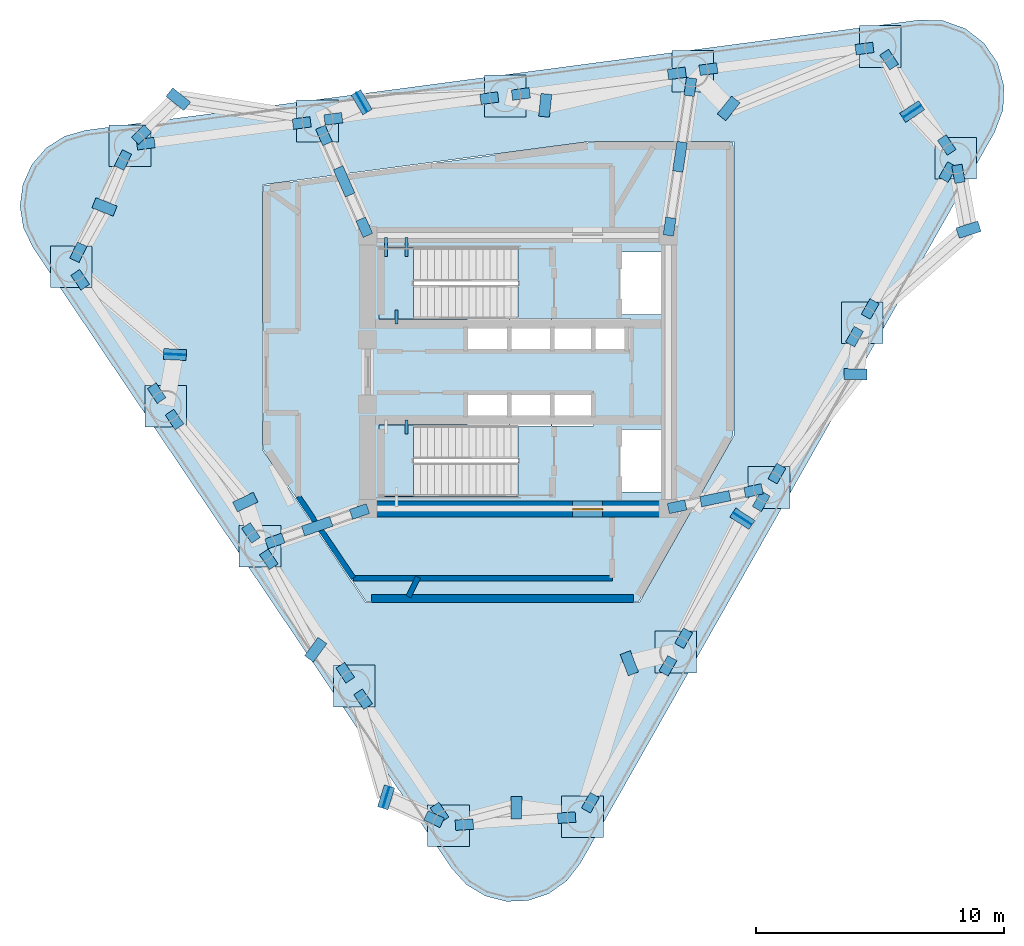
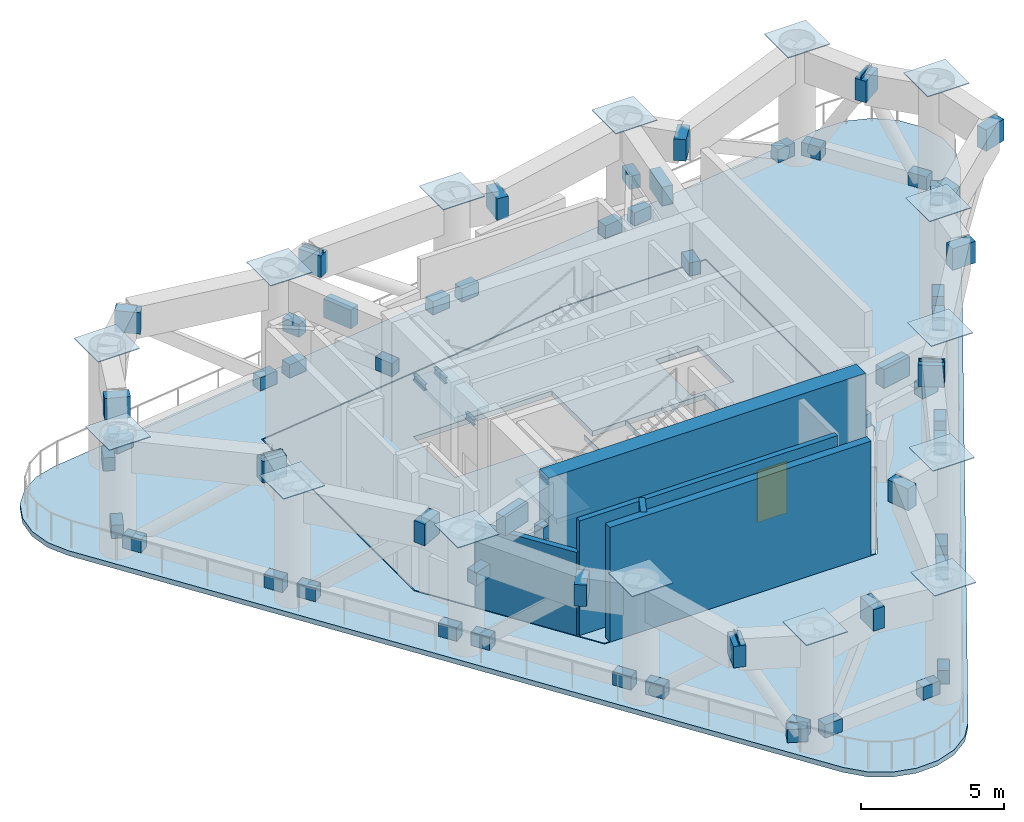
# One storey, part 3 of 10: 80 plates, 5 walls, 4 beams, 4 slabs, 1 door, 1 opening, 2 elements without a shape of their own.
"""IFC4 building model written with IfcOpenShell, lengths in metres."""

from ifc_helpers import new_model, si_unit, direction, frame, frame_2d, origin, origin_2d, place, context, subcontext, project, spatial, polyline, rectangle, i_section, outline, extrude, source, transform, mapped, material, layer, layer_set, material_profile, profile_set, type_object, element, fill, aggregate, save


model = new_model("IFC4")

# Units and contexts
model_context = context("Model", 3, precision=1e-05, world=origin(), true_north=direction((0.0, 1.0)))
body_context = subcontext(model_context, "Body", "Model", "MODEL_VIEW")
ifc_project = project(units=[si_unit("LENGTHUNIT", "METRE"), si_unit("AREAUNIT", "SQUARE_METRE"), si_unit("VOLUMEUNIT", "CUBIC_METRE"), si_unit("PLANEANGLEUNIT", "RADIAN"), si_unit("MASSUNIT", "GRAM", prefix="KILO")], contexts=[model_context])

# Site, building, storey
site_placement = place(None, origin())
site = spatial("IfcSite", under=ifc_project, at=site_placement, CompositionType="ELEMENT")
building_placement = place(site_placement, origin())
building = spatial("IfcBuilding", under=site, at=building_placement, Name="Yunling Apex Tower", CompositionType="ELEMENT")
storey_placement = place(building_placement, frame((0.0, 0.0, 186.35009765625)))
storey = spatial("IfcBuildingStorey", under=building, at=storey_placement, Name="RF5", CompositionType="ELEMENT", Elevation=186.35009765625)

# Beams
ifc_material_1 = material(Name="Steel Q355B", Category="steel")
ifc_material_profile = material_profile(ifc_material_1, i_section(OverallWidth=0.125, OverallDepth=0.25, WebThickness=0.006103515625, FlangeThickness=0.009033203125, FilletRadius=0.011962890625, at=origin_2d()))
ifc_profile_set = profile_set([ifc_material_profile], Name="Steel Q355B")
beam_type = type_object("IfcBeamType", Name="BL-LNT-1", PredefinedType="LINTEL", material=ifc_profile_set)
shared_shape_1 = source(origin(), body_context, "Body", "SweptSolid", [
    extrude(i_section(OverallWidth=0.125, OverallDepth=0.25, WebThickness=0.006103515625, FlangeThickness=0.009033203125, FilletRadius=0.011962890625, at=origin_2d()), origin(), (0.0, 0.0, 1.0), 0.760009765625),
])
for number, where, z_axis, x_axis, name in (
    (1, (-5.320068359375, 5.419921875, 2.22998046875), (0.0, -1.0, 0.0), (1.0, 0.0, 0.0), "RF5 ST-1 Landing Bearing Corbel 1-1"),
    (2, (-4.489990234375, 5.419921875, 2.22998046875), (0.0, -1.0, 0.0), (1.0, 0.0, 0.0), "RF5 ST-1 Landing Bearing Corbel 1-2"),
):
    element("IfcBeam", number, at=place(storey_placement, frame(where, z_axis=z_axis, x_axis=x_axis)), inside=storey, type_object=beam_type, Name=name, PredefinedType="LINTEL", context=body_context, shape_type="MappedRepresentation", body=[
        mapped(shared_shape_1, transform((0.0, 0.0, 0.0), scale=1.0)),
    ])
shared_shape_2 = source(origin(), body_context, "Body", "SweptSolid", [
    extrude(i_section(OverallWidth=0.125, OverallDepth=0.25, WebThickness=0.006103515625, FlangeThickness=0.009033203125, FilletRadius=0.011962890625, at=origin_2d()), origin(), (0.0, 0.0, 1.0), 0.550048828125),
])
for number, where, z_axis, x_axis, name in (
    (3, (-4.905029296875, 1.93994140625, 2.22998046875), (0.0, 1.0, 0.0), (-1.0, 0.0, 0.0), "RF5 ST-1 Landing Bearing Corbel 1-3"),
    (4, (-4.489990234375, -1.93994140625, 2.22998046875), (0.0, -1.0, 0.0), (1.0, 0.0, 0.0), "RF5 ST-2 Landing Bearing Corbel 1-2"),
):
    element("IfcBeam", number, at=place(storey_placement, frame(where, z_axis=z_axis, x_axis=x_axis)), inside=storey, type_object=beam_type, Name=name, PredefinedType="LINTEL", context=body_context, shape_type="MappedRepresentation", body=[
        mapped(shared_shape_2, transform((0.0, 0.0, 0.0), scale=1.0)),
    ])

# Stair, slab
ifc_material_2 = material(Name="Concrete C40", Category="concrete")
stair_type = type_object("IfcStairType", Name="ST-TWR-1", PredefinedType="HALF_TURN_STAIR", material=ifc_material_2)
stair_1_placement = place(storey_placement, origin())
stair_1 = element("IfcStair", 5, at=stair_1_placement, inside=storey, type_object=stair_type, Name="RF5 North Core Smokeproof Exit Stair ST-1", PredefinedType="HALF_TURN_STAIR")
ifc_layer_1 = layer(ifc_material_2, 0.195068359375)
ifc_layer_set_1 = layer_set([ifc_layer_1], Name="Concrete C40")
slab_type_1 = type_object("IfcSlabType", Name="SL-LND-1", PredefinedType="LANDING", material=ifc_layer_set_1)
slab_1_placement = place(storey_placement, frame((0.0, 0.0, 2.35498046875)))
slab_1 = element("IfcSlab", 6, at=slab_1_placement, type_object=slab_type_1, Name="ST-1 landing 1", PredefinedType="LANDING", context=body_context, shape_type="SweptSolid", body=[
    extrude(outline(polyline([(-4.2099609375, 5.010009765625), (-5.60009765625, 5.010009765625), (-5.60009765625, 2.139892578125), (-4.2099609375, 2.139892578125), (-4.2099609375, 5.010009765625)])), origin(), (0.0, 0.0, 1.0), 0.19482421875),
])
aggregate(stair_1, [slab_1])

stair_2_placement = place(storey_placement, origin())
stair_2 = element("IfcStair", 7, at=stair_2_placement, inside=storey, type_object=stair_type, Name="RF5 South Core Smokeproof Exit Stair ST-2", PredefinedType="HALF_TURN_STAIR")
slab_2_placement = place(storey_placement, frame((0.0, 0.0, 2.35498046875)))
slab_2 = element("IfcSlab", 8, at=slab_2_placement, type_object=slab_type_1, Name="ST-2 landing 1", PredefinedType="LANDING", context=body_context, shape_type="SweptSolid", body=[
    extrude(outline(polyline([(-4.2099609375, -2.139892578125), (-5.60009765625, -2.139892578125), (-5.60009765625, -5.010009765625), (-4.2099609375, -5.010009765625), (-4.2099609375, -2.139892578125)])), origin(), (0.0, 0.0, 1.0), 0.19482421875),
])
aggregate(stair_2, [slab_2])

# Slabs
ifc_layer_2 = layer(ifc_material_2, 0.219970703125)
ifc_layer_set_2 = layer_set([ifc_layer_2], Name="Concrete C40")
slab_type_2 = type_object("IfcSlabType", Name="SL-RFG-1", PredefinedType="FLOOR", material=ifc_layer_set_2)
slab_3_placement = place(storey_placement, frame((0.0, 0.0, -0.22021484375)))
element("IfcSlab", 9, at=slab_3_placement, inside=storey, type_object=slab_type_2, Name="RF5 Mechanical & Belt-Truss Interior Slab", PredefinedType="FLOOR", context=body_context, shape_type="SweptSolid", body=[
    extrude(outline(polyline([(2.922119140625, 9.25), (-10.25, 7.506591796875), (-10.25, -3.124267578125), (-6.1181640625, -9.25), (4.857421875, -9.25), (8.64990234375, -2.5576171875), (8.64990234375, 9.25), (2.922119140625, 9.25)]), holes=[polyline([(5.81005859375, -2.320068359375), (5.81005859375, -4.840087890625), (4.090087890625, -4.840087890625), (4.090087890625, -2.320068359375), (5.81005859375, -2.320068359375)]), polyline([(5.81005859375, 4.840087890625), (5.81005859375, 2.320068359375), (4.090087890625, 2.320068359375), (4.090087890625, 4.840087890625), (5.81005859375, 4.840087890625)]), polyline([(4.534912109375, 0.794921875), (1.364990234375, 0.794921875), (1.364990234375, 2.1650390625), (4.534912109375, 2.1650390625), (4.534912109375, 0.794921875)]), polyline([(3.034912109375, -0.794921875), (3.034912109375, -2.1650390625), (1.364990234375, -2.1650390625), (1.364990234375, -0.794921875), (3.034912109375, -0.794921875)]), polyline([(-2.034912109375, -0.794921875), (-0.364990234375, -0.794921875), (-0.364990234375, -2.139892578125), (-0.3349609375, -2.139892578125), (-0.3349609375, -0.794921875), (1.3349609375, -0.794921875), (1.3349609375, -2.1650390625), (-0.010009765625, -2.1650390625), (-0.010009765625, -5.010009765625), (-5.60009765625, -5.010009765625), (-5.60009765625, -2.139892578125), (-2.034912109375, -2.139892578125), (-2.034912109375, -0.794921875)]), polyline([(-5.60009765625, 2.139892578125), (-5.60009765625, 5.010009765625), (-0.010009765625, 5.010009765625), (-0.010009765625, 2.1650390625), (1.3349609375, 2.1650390625), (1.3349609375, 0.794921875), (-0.3349609375, 0.794921875), (-0.3349609375, 2.139892578125), (-0.364990234375, 2.139892578125), (-0.364990234375, 0.794921875), (-2.034912109375, 0.794921875), (-2.034912109375, 2.139892578125), (-5.60009765625, 2.139892578125)])]), origin(), (0.0, 0.0, 1.0), 0.22021484375),
])
ifc_layer_3 = layer(ifc_material_2, 0.2099609375)
ifc_layer_set_3 = layer_set([ifc_layer_3], Name="Concrete C40")
slab_type_3 = type_object("IfcSlabType", Name="SL-RFG-EXT", PredefinedType="FLOOR", material=ifc_layer_set_3)
slab_4_placement = place(storey_placement, frame((0.0, 0.0, -0.210205078125)))
element("IfcSlab", 10, at=slab_4_placement, inside=storey, type_object=slab_type_3, Name="RF5 Open Refuge Perimeter Terrace Band", PredefinedType="FLOOR", context=body_context, shape_type="SweptSolid", body=[
    extrude(outline(polyline([(-2.665771484375, -20.00146484375), (-2.073486328125, -20.65185546875), (-1.31982421875, -21.10546875), (-0.468017578125, -21.32421875), (0.410888671875, -21.2900390625), (1.243408203125, -21.005615234375), (1.95947265625, -20.494873046875), (2.499267578125, -19.80029296875), (19.197998046875, 9.66650390625), (19.533203125, 10.565185546875), (19.572021484375, 11.5234375), (19.31005859375, 12.4462890625), (18.773681640625, 13.241455078125), (18.01611328125, 13.830078125), (17.113037109375, 14.1533203125), (16.154296875, 14.178955078125), (-17.422119140625, 9.734619140625), (-18.268310546875, 9.494384765625), (-19.01025390625, 9.021728515625), (-19.585693359375, 8.3564453125), (-19.947021484375, 7.554443359375), (-20.06298828125, 6.682373046875), (-19.9248046875, 5.813720703125), (-19.543701171875, 5.02099609375), (-2.665771484375, -20.00146484375)]), holes=[polyline([(8.68994140625, -2.568115234375), (4.880859375, -9.2900390625), (-6.139404296875, -9.2900390625), (-10.2900390625, -3.136474609375), (-10.2900390625, 7.54150390625), (2.91943359375, 9.2900390625), (8.68994140625, 9.2900390625), (8.68994140625, -2.568115234375)])]), origin(), (0.0, 0.0, 1.0), 0.210205078125),
])

# Plates
ifc_layer_4 = layer(ifc_material_1, 0.030029296875)
ifc_layer_set_4 = layer_set([ifc_layer_4], Name="Steel Q355B")
plate_type_1 = type_object("IfcPlateType", Name="NP-CAP-1", PredefinedType="USERDEFINED", material=ifc_layer_set_4)
shared_shape_3 = source(origin(), body_context, "Body", "SweptSolid", [
    extrude(rectangle(XDim=1.679931640625, YDim=1.679931640625, at=origin_2d()), origin(), (0.0, 0.0, 1.0), 0.035888671875),
])
for number, where, z_axis, x_axis, name in (
    (11, (2.5947265625, -17.907958984375, 4.9970703125), (0.0, 0.0, 1.0), (1.0, 0.0, 0.0), "RF5 Lower-Block CFST Column Top Cap Plate P01"),
    (12, (6.351806640625, -11.27783203125, 4.9970703125), (0.0, 0.0, 1.0), (1.0, 0.0, 0.0), "RF5 Lower-Block CFST Column Top Cap Plate P02"),
    (13, (10.109130859375, -4.64794921875, 4.9970703125), (0.0, 0.0, 1.0), (1.0, 0.0, 0.0), "RF5 Lower-Block CFST Column Top Cap Plate P03"),
    (14, (13.8662109375, 1.982177734375, 4.9970703125), (0.0, 0.0, 1.0), (1.0, 0.0, 0.0), "RF5 Lower-Block CFST Column Top Cap Plate P04"),
    (15, (17.62353515625, 8.612060546875, 4.9970703125), (0.0, 0.0, 1.0), (1.0, 0.0, 0.0), "RF5 Lower-Block CFST Column Top Cap Plate P05"),
    (16, (14.5869140625, 13.114013671875, 4.9970703125), (0.0, 0.0, 1.0), (1.0, 0.0, 0.0), "RF5 Lower-Block CFST Column Top Cap Plate P06"),
    (17, (7.0322265625, 12.114013671875, 4.9970703125), (0.0, 0.0, 1.0), (1.0, 0.0, 0.0), "RF5 Lower-Block CFST Column Top Cap Plate P07"),
    (18, (-0.5224609375, 11.114013671875, 4.9970703125), (0.0, 0.0, 1.0), (1.0, 0.0, 0.0), "RF5 Lower-Block CFST Column Top Cap Plate P08"),
    (19, (-8.0771484375, 10.1142578125, 4.9970703125), (0.0, 0.0, 1.0), (1.0, 0.0, 0.0), "RF5 Lower-Block CFST Column Top Cap Plate P09"),
    (20, (-15.6318359375, 9.1142578125, 4.9970703125), (0.0, 0.0, 1.0), (1.0, 0.0, 0.0), "RF5 Lower-Block CFST Column Top Cap Plate P10"),
    (21, (-17.9951171875, 4.2451171875, 4.9970703125), (0.0, 0.0, 1.0), (1.0, 0.0, 0.0), "RF5 Lower-Block CFST Column Top Cap Plate P11"),
    (22, (-14.197509765625, -1.384765625, 4.9970703125), (0.0, 0.0, 1.0), (1.0, 0.0, 0.0), "RF5 Lower-Block CFST Column Top Cap Plate P12"),
    (23, (-10.39990234375, -7.014892578125, 4.9970703125), (0.0, 0.0, 1.0), (1.0, 0.0, 0.0), "RF5 Lower-Block CFST Column Top Cap Plate P13"),
    (24, (-6.6025390625, -12.64501953125, 4.9970703125), (0.0, 0.0, 1.0), (1.0, 0.0, 0.0), "RF5 Lower-Block CFST Column Top Cap Plate P14"),
    (25, (-2.804931640625, -18.27490234375, 4.9970703125), (0.0, 0.0, 1.0), (1.0, 0.0, 0.0), "RF5 Lower-Block CFST Column Top Cap Plate P15"),
):
    element("IfcPlate", number, at=place(storey_placement, frame(where, z_axis=z_axis, x_axis=x_axis)), inside=storey, type_object=plate_type_1, Name=name, ObjectType="CAP_PLATE", PredefinedType="USERDEFINED", context=body_context, shape_type="MappedRepresentation", body=[
        mapped(shared_shape_3, transform((0.0, 0.0, 0.0), scale=1.0)),
    ])
ifc_layer_5 = layer(ifc_material_1, 0.035888671875)
ifc_layer_set_5 = layer_set([ifc_layer_5], Name="Steel Q355B")
plate_type_2 = type_object("IfcPlateType", Name="NP-GUS-1", PredefinedType="USERDEFINED", material=ifc_layer_set_5)
shared_shape_4 = source(origin(), body_context, "Body", "SweptSolid", [
    extrude(rectangle(XDim=0.719970703125, YDim=0.419921875, at=origin_2d()), origin(), (0.0, 0.0, 1.0), 0.56005859375),
])
for number, where, z_axis, x_axis, name in (
    (26, (2.9111328125, -17.349365234375, 0.269775390625), (0.0, 0.0, 1.0), (0.493031062956, 0.87001170737, 0.0), "RF5 Belt Chord End Gusset Plate 180"),
    (27, (6.035400390625, -11.83642578125, 0.269775390625), (0.0, 0.0, 1.0), (0.493031062956, 0.87001170737, 0.0), "RF5 Belt Chord End Gusset Plate 181"),
    (28, (6.66845703125, -10.719482421875, 0.269775390625), (0.0, 0.0, 1.0), (0.493031062956, 0.87001170737, 0.0), "RF5 Belt Chord End Gusset Plate 182"),
    (29, (9.79248046875, -5.206298828125, 0.269775390625), (0.0, 0.0, 1.0), (0.493031062956, 0.87001170737, 0.0), "RF5 Belt Chord End Gusset Plate 183"),
    (30, (10.425537109375, -4.08935546875, 0.269775390625), (0.0, 0.0, 1.0), (0.493031062956, 0.87001170737, 0.0), "RF5 Belt Chord End Gusset Plate 184"),
    (31, (13.5498046875, 1.423583984375, 0.269775390625), (0.0, 0.0, 1.0), (0.493031062956, 0.87001170737, 0.0), "RF5 Belt Chord End Gusset Plate 185"),
    (32, (14.182861328125, 2.54052734375, 0.269775390625), (0.0, 0.0, 1.0), (0.493031062956, 0.87001170737, 0.0), "RF5 Belt Chord End Gusset Plate 186"),
    (33, (17.306884765625, 8.0537109375, 0.269775390625), (0.0, 0.0, 1.0), (0.493031062956, 0.87001170737, 0.0), "RF5 Belt Chord End Gusset Plate 187"),
    (34, (17.264404296875, 9.144287109375, 0.269775390625), (0.0, 0.0, 1.0), (-0.559192903471, 0.829037572555, 0.0), "RF5 Belt Chord End Gusset Plate 188"),
    (35, (14.94580078125, 12.581787109375, 0.269775390625), (0.0, 0.0, 1.0), (-0.559192903471, 0.829037572555, 0.0), "RF5 Belt Chord End Gusset Plate 189"),
    (36, (13.950439453125, 13.02978515625, 0.269775390625), (0.0, 0.0, 1.0), (-0.9913534953, -0.131218319443, 0.0), "RF5 Belt Chord End Gusset Plate 190"),
    (37, (7.668701171875, 12.1982421875, 0.269775390625), (0.0, 0.0, 1.0), (-0.9913534953, -0.131218319443, 0.0), "RF5 Belt Chord End Gusset Plate 191"),
    (38, (6.395751953125, 12.02978515625, 0.269775390625), (0.0, 0.0, 1.0), (-0.9913534953, -0.131218319443, 0.0), "RF5 Belt Chord End Gusset Plate 192"),
    (39, (0.114013671875, 11.1982421875, 0.269775390625), (0.0, 0.0, 1.0), (-0.9913534953, -0.131218319443, 0.0), "RF5 Belt Chord End Gusset Plate 193"),
    (40, (-1.158935546875, 11.02978515625, 0.269775390625), (0.0, 0.0, 1.0), (-0.9913534953, -0.131218319443, 0.0), "RF5 Belt Chord End Gusset Plate 194"),
    (41, (-7.44091796875, 10.198486328125, 0.269775390625), (0.0, 0.0, 1.0), (-0.9913534953, -0.131218319443, 0.0), "RF5 Belt Chord End Gusset Plate 195"),
    (42, (-8.713623046875, 10.030029296875, 0.269775390625), (0.0, 0.0, 1.0), (-0.9913534953, -0.131218319443, 0.0), "RF5 Belt Chord End Gusset Plate 196"),
    (43, (-14.995361328125, 9.198486328125, 0.269775390625), (0.0, 0.0, 1.0), (-0.9913534953, -0.131218319443, 0.0), "RF5 Belt Chord End Gusset Plate 197"),
    (44, (-15.912109375, 8.53662109375, 0.269775390625), (0.0, 0.0, 1.0), (-0.436644779265, -0.899634001548, 0.0), "RF5 Belt Chord End Gusset Plate 198"),
    (45, (-17.714599609375, 4.82275390625, 0.269775390625), (0.0, 0.0, 1.0), (-0.436644779265, -0.899634001548, 0.0), "RF5 Belt Chord End Gusset Plate 199"),
    (46, (-17.635986328125, 3.712890625, 0.269775390625), (0.0, 0.0, 1.0), (0.559192903471, -0.829037572555, 0.0), "RF5 Belt Chord End Gusset Plate 200"),
    (47, (-14.556396484375, -0.8525390625, 0.269775390625), (0.0, 0.0, 1.0), (0.559192903471, -0.829037572555, 0.0), "RF5 Belt Chord End Gusset Plate 201"),
    (48, (-13.83837890625, -1.9169921875, 0.269775390625), (0.0, 0.0, 1.0), (0.559192903471, -0.829037572555, 0.0), "RF5 Belt Chord End Gusset Plate 202"),
    (49, (-10.759033203125, -6.482666015625, 0.269775390625), (0.0, 0.0, 1.0), (0.559192903471, -0.829037572555, 0.0), "RF5 Belt Chord End Gusset Plate 203"),
    (50, (-10.041015625, -7.547119140625, 0.269775390625), (0.0, 0.0, 1.0), (0.559192903471, -0.829037572555, 0.0), "RF5 Belt Chord End Gusset Plate 204"),
    (51, (-6.96142578125, -12.11279296875, 0.269775390625), (0.0, 0.0, 1.0), (0.559192903471, -0.829037572555, 0.0), "RF5 Belt Chord End Gusset Plate 205"),
    (52, (-6.243408203125, -13.177001953125, 0.269775390625), (0.0, 0.0, 1.0), (0.559192903471, -0.829037572555, 0.0), "RF5 Belt Chord End Gusset Plate 206"),
    (53, (-3.1640625, -17.742919921875, 0.269775390625), (0.0, 0.0, 1.0), (0.559192903471, -0.829037572555, 0.0), "RF5 Belt Chord End Gusset Plate 207"),
    (54, (-2.16455078125, -18.2314453125, 0.269775390625), (0.0, 0.0, 1.0), (0.997696134548, 0.067841160875, 0.0), "RF5 Belt Chord End Gusset Plate 208"),
    (55, (1.9541015625, -17.951416015625, 0.269775390625), (0.0, 0.0, 1.0), (0.997696134548, 0.067841160875, 0.0), "RF5 Belt Chord End Gusset Plate 209"),
    (56, (17.7373046875, 7.982421875, 0.269775390625), (0.0, 0.0, 1.0), (0.177771795263, -0.984071739666, 0.0), "RF5 Belt Diagonal Foot Gusset Plate 210"),
    (57, (-15.171142578125, 9.55859375, 0.269775390625), (0.0, 0.0, 1.0), (0.71982458803, 0.694156007298, 0.0), "RF5 Belt Diagonal Foot Gusset Plate 211"),
    (58, (-3.38720703125, -18.009521484375, 0.269775390625), (0.0, 0.0, 1.0), (-0.909888879393, 0.414852054542, 0.0), "RF5 Belt Diagonal Foot Gusset Plate 212"),
):
    element("IfcPlate", number, at=place(storey_placement, frame(where, z_axis=z_axis, x_axis=x_axis)), inside=storey, type_object=plate_type_2, Name=name, ObjectType="GUSSET_PLATE", PredefinedType="USERDEFINED", context=body_context, shape_type="MappedRepresentation", body=[
        mapped(shared_shape_4, transform((0.0, 0.0, 0.0), scale=1.0)),
    ])
shared_shape_5 = source(origin(), body_context, "Body", "SweptSolid", [
    extrude(rectangle(XDim=0.919921875, YDim=0.43994140625, at=origin_2d()), origin(), (0.0, 0.0, 1.0), 0.919921875),
])
for number, where, z_axis, x_axis, name in (
    (59, (-0.073486328125, -17.55322265625, 3.784912109375), (0.0, 0.0, 1.0), (-0.004188777955, -0.999991227031, 0.0), "RF5 Belt-Truss Node Gusset Plate 1"),
    (60, (4.480712890625, -11.732177734375, 3.784912109375), (0.0, 0.0, 1.0), (0.35673799932, -0.934204474321, 0.0), "RF5 Belt-Truss Node Gusset Plate 2"),
    (61, (9.03515625, -5.911376953125, 3.784912109375), (0.0, 0.0, 1.0), (0.836764313459, -0.547563223493, 0.0), "RF5 Belt-Truss Node Gusset Plate 3"),
    (62, (13.589599609375, -0.09033203125, 3.784912109375), (0.0, 0.0, 1.0), (0.999978006703, -0.006632202536, 0.0), "RF5 Belt-Truss Node Gusset Plate 4"),
    (63, (18.143798828125, 5.730712890625, 3.784912109375), (0.0, 0.0, 1.0), (0.953559370834, 0.301205123289, 0.0), "RF5 Belt-Truss Node Gusset Plate 5"),
    (64, (15.871826171875, 10.493896484375, 3.784912109375), (0.0, 0.0, 1.0), (0.834174701276, 0.551500288078, 0.0), "RF5 Belt-Truss Node Gusset Plate 6"),
    (65, (8.48193359375, 10.617919921875, 3.784912109375), (0.0, 0.0, 1.0), (0.624152360803, 0.781302649748, 0.0), "RF5 Belt-Truss Node Gusset Plate 7"),
    (66, (1.092041015625, 10.74169921875, 3.784912109375), (0.0, 0.0, 1.0), (0.101229935083, 0.994863056025, 0.0), "RF5 Belt-Truss Node Gusset Plate 8"),
    (67, (-6.2978515625, 10.865478515625, 3.784912109375), (0.0, 0.0, 1.0), (-0.501510737159, 0.86515142057, 0.0), "RF5 Belt-Truss Node Gusset Plate 9"),
    (68, (-13.687744140625, 10.989501953125, 3.784912109375), (0.0, 0.0, 1.0), (-0.779775226961, 0.62605957817, 0.0), "RF5 Belt-Truss Node Gusset Plate 10"),
    (69, (-16.657958984375, 6.649169921875, 3.784912109375), (0.0, 0.0, 1.0), (-0.928744864252, 0.370719539713, 0.0), "RF5 Belt-Truss Node Gusset Plate 11"),
    (70, (-13.822509765625, 0.704345703125, 3.784912109375), (0.0, 0.0, 1.0), (-0.998701636071, 0.050941555809, 0.0), "RF5 Belt-Truss Node Gusset Plate 12"),
    (71, (-10.98681640625, -5.240478515625, 3.784912109375), (0.0, 0.0, 1.0), (-0.90258528435, -0.430511096808, 0.0), "RF5 Belt-Truss Node Gusset Plate 13"),
    (72, (-8.1513671875, -11.185302734375, 3.784912109375), (0.0, 0.0, 1.0), (-0.588914279787, -0.808195502996, 0.0), "RF5 Belt-Truss Node Gusset Plate 14"),
    (73, (-5.31591796875, -17.130126953125, 3.784912109375), (0.0, 0.0, 1.0), (-0.296374888035, -0.95507168618, 0.0), "RF5 Belt-Truss Node Gusset Plate 15"),
):
    element("IfcPlate", number, at=place(storey_placement, frame(where, z_axis=z_axis, x_axis=x_axis)), inside=storey, type_object=plate_type_2, Name=name, ObjectType="GUSSET_PLATE", PredefinedType="USERDEFINED", context=body_context, shape_type="MappedRepresentation", body=[
        mapped(shared_shape_5, transform((0.0, 0.0, 0.0), scale=1.0)),
    ])
shared_shape_6 = source(origin(), body_context, "Body", "SweptSolid", [
    extrude(rectangle(XDim=0.85009765625, YDim=0.030029296875, at=origin_2d()), origin(), (0.0, 0.0, 1.0), 0.85009765625),
])
for number, where, z_axis, x_axis, name in (
    (74, (9.03515625, -5.911376953125, 3.969970703125), (0.0, 0.0, 1.0), (0.836764313459, -0.547563223493, 0.0), "RF5 Box Ring Girder End Cap Plate 3"),
    (75, (15.871826171875, 10.493896484375, 3.969970703125), (0.0, 0.0, 1.0), (0.834174701276, 0.551500288078, 0.0), "RF5 Box Ring Girder End Cap Plate 6"),
    (76, (-6.2978515625, 10.865478515625, 3.969970703125), (0.0, 0.0, 1.0), (-0.501510737159, 0.86515142057, 0.0), "RF5 Box Ring Girder End Cap Plate 9"),
    (77, (-13.822509765625, 0.704345703125, 3.969970703125), (0.0, 0.0, 1.0), (-0.998701636071, 0.050941555809, 0.0), "RF5 Box Ring Girder End Cap Plate 12"),
    (78, (-5.31591796875, -17.130126953125, 3.969970703125), (0.0, 0.0, 1.0), (-0.296374888035, -0.95507168618, 0.0), "RF5 Box Ring Girder End Cap Plate 15"),
):
    element("IfcPlate", number, at=place(storey_placement, frame(where, z_axis=z_axis, x_axis=x_axis)), inside=storey, type_object=plate_type_1, Name=name, ObjectType="CAP_PLATE", PredefinedType="USERDEFINED", context=body_context, shape_type="MappedRepresentation", body=[
        mapped(shared_shape_6, transform((0.0, 0.0, 0.0), scale=1.0)),
    ])
ifc_layer_6 = layer(ifc_material_1, 0.031982421875)
ifc_layer_set_6 = layer_set([ifc_layer_6], Name="Steel Q355B")
plate_type_3 = type_object("IfcPlateType", Name="NP-GUS-2", PredefinedType="USERDEFINED", material=ifc_layer_set_6)
shared_shape_7 = source(origin(), body_context, "Body", "SweptSolid", [
    extrude(rectangle(XDim=1.199951171875, YDim=0.419921875, at=origin_2d()), origin(), (0.0, 0.0, 1.0), 0.800048828125),
])
for number, where, z_axis, x_axis, name in (
    (79, (-8.0927734375, -6.21142578125, 3.8447265625), (0.0, 0.0, 1.0), (-0.944376370237, -0.328866646739, 0.0), "RF5 Outrigger Mid-Top Gusset Plate 1"),
    (80, (7.9423828125, -5.102783203125, 3.8447265625), (0.0, 0.0, 1.0), (0.978652704312, 0.205521007059, 0.0), "RF5 Outrigger Mid-Top Gusset Plate 2"),
    (81, (6.5205078125, 8.66845703125, 3.8447265625), (0.0, 0.0, 1.0), (0.146946275799, 0.989144474801, 0.0), "RF5 Outrigger Mid-Top Gusset Plate 3"),
    (82, (-7.00732421875, 7.678955078125, 3.8447265625), (0.0, 0.0, 1.0), (-0.402267378703, 0.915522231315, 0.0), "RF5 Outrigger Mid-Top Gusset Plate 4"),
):
    element("IfcPlate", number, at=place(storey_placement, frame(where, z_axis=z_axis, x_axis=x_axis)), inside=storey, type_object=plate_type_3, Name=name, ObjectType="GUSSET_PLATE", PredefinedType="USERDEFINED", context=body_context, shape_type="MappedRepresentation", body=[
        mapped(shared_shape_7, transform((0.0, 0.0, 0.0), scale=1.0)),
    ])
shared_shape_8 = source(origin(), body_context, "Body", "SweptSolid", [
    extrude(rectangle(XDim=0.719970703125, YDim=0.419921875, at=origin_2d()), origin(), (0.0, 0.0, 1.0), 0.56005859375),
])
for number, where, z_axis, x_axis, name in (
    (83, (-6.389892578125, -5.618408203125, 2.539794921875), (0.0, 0.0, 1.0), (-0.944376370237, -0.328866646739, 0.0), "RF5 Outrigger Core Embed Gusset Plate 213"),
    (84, (-9.795654296875, -6.804443359375, 2.539794921875), (0.0, 0.0, 1.0), (-0.944376370237, -0.328866646739, 0.0), "RF5 Outrigger Column Gusset Plate 214"),
    (85, (6.40234375, -5.426025390625, 2.539794921875), (0.0, 0.0, 1.0), (0.978652704312, 0.205521007059, 0.0), "RF5 Outrigger Core Embed Gusset Plate 215"),
    (86, (9.48291015625, -4.779296875, 2.539794921875), (0.0, 0.0, 1.0), (0.978652704312, 0.205521007059, 0.0), "RF5 Outrigger Column Gusset Plate 216"),
    (87, (6.102783203125, 5.856201171875, 2.539794921875), (0.0, 0.0, 1.0), (0.146946275799, 0.989144474801, 0.0), "RF5 Outrigger Core Embed Gusset Plate 217"),
    (88, (6.938232421875, 11.48095703125, 2.539794921875), (0.0, 0.0, 1.0), (0.146946275799, 0.989144474801, 0.0), "RF5 Outrigger Column Gusset Plate 218"),
    (89, (-6.19482421875, 5.82958984375, 2.539794921875), (0.0, 0.0, 1.0), (-0.402267378703, 0.915522231315, 0.0), "RF5 Outrigger Core Embed Gusset Plate 219"),
    (90, (-7.81982421875, 9.5283203125, 2.539794921875), (0.0, 0.0, 1.0), (-0.402267378703, 0.915522231315, 0.0), "RF5 Outrigger Column Gusset Plate 220"),
):
    element("IfcPlate", number, at=place(storey_placement, frame(where, z_axis=z_axis, x_axis=x_axis)), inside=storey, type_object=plate_type_3, Name=name, ObjectType="GUSSET_PLATE", PredefinedType="USERDEFINED", context=body_context, shape_type="MappedRepresentation", body=[
        mapped(shared_shape_8, transform((0.0, 0.0, 0.0), scale=1.0)),
    ])

# Wall, opening, door
ifc_material_3 = material(Name="Concrete C50", Category="concrete")
ifc_layer_7 = layer(ifc_material_3, 0.64990234375)
ifc_layer_set_7 = layer_set([ifc_layer_7], Name="Concrete C50")
wall_type_1 = type_object("IfcWallType", Name="WL-COR-2", PredefinedType="SHEAR", material=ifc_layer_set_7)
wall_1_placement = place(storey_placement, frame((-6.39990234375, -5.52490234375, 0.0), z_axis=(0.0, 0.0, 1.0), x_axis=(1.0, 0.0, 0.0)))
wall_1 = element("IfcWall", 91, at=wall_1_placement, inside=storey, type_object=wall_type_1, Name="RF5 South Core Shear Wall", PredefinedType="SHEAR", context=body_context, shape_type="SweptSolid", body=[
    extrude(rectangle(XDim=12.7998046875, YDim=0.64990234375, at=frame_2d((6.39990234375, 0.0))), origin(), (0.0, 0.0, 1.0), 5.099853515625),
])
opening_placement = place(wall_1_placement, frame((8.60009765625, 0.0, 0.0)))
opening = element("IfcOpeningElement", 92, at=opening_placement, cuts=wall_1, Name="Opening DR-FFL-1", PredefinedType="OPENING", context=body_context, shape_type="SweptSolid", body=[
    extrude(rectangle(XDim=1.199951171875, YDim=2.199951171875, at=frame_2d((0.60009765625, 1.10009765625))), frame((0.0, 0.3349609375, 0.0), z_axis=(0.0, -1.0, 0.0), x_axis=(1.0, 0.0, 0.0)), (0.0, 0.0, 1.0), 0.669921875),
])
door_type = type_object("IfcDoorType", Name="DR-FFL-1", OperationType="NOTDEFINED", PredefinedType="DOOR", material=ifc_material_1)
door_placement = place(opening_placement, origin())
door = element("IfcDoor", 93, at=door_placement, inside=storey, type_object=door_type, Name="RF5 South Firefighting Lobby Door", OperationType="SINGLE_SWING_RIGHT", OverallHeight=2.199951171875, OverallWidth=1.199951171875, PredefinedType="DOOR", context=body_context, shape_type="SweptSolid", body=[
    extrude(rectangle(XDim=1.199951171875, YDim=2.199951171875, at=frame_2d((0.60009765625, 1.10009765625))), frame((0.0, 0.02490234375, 0.0), z_axis=(0.0, -1.0, 0.0), x_axis=(1.0, 0.0, 0.0)), (0.0, 0.0, 1.0), 0.050048828125),
])
fill(opening, door)

# Walls
ifc_material_4 = material(Name="Precast concrete C40", Category="concrete")
ifc_layer_8 = layer(ifc_material_4, 0.320068359375)
ifc_layer_set_8 = layer_set([ifc_layer_8], Name="Precast concrete C40")
wall_type_2 = type_object("IfcWallType", Name="WL-EXT-1", PredefinedType="SOLIDWALL", material=ifc_layer_set_8)
wall_2_placement = place(storey_placement, frame((4.6474609375, -9.1298828125, 0.0), z_axis=(0.0, 0.0, 1.0), x_axis=(-1.0, 0.0, 0.0)))
element("IfcWall", 94, at=wall_2_placement, inside=storey, type_object=wall_type_2, Name="WL-RF5-IR-03", PredefinedType="SOLIDWALL", context=body_context, shape_type="SweptSolid", body=[
    extrude(rectangle(XDim=10.561767578125, YDim=0.320068359375, at=frame_2d((5.28076171875, 0.0))), origin(), (0.0, 0.0, 1.0), 4.89990234375),
])
ifc_material_5 = material(Name="Autoclaved aerated concrete masonry", Category="masonry")
ifc_layer_9 = layer(ifc_material_5, 0.219970703125)
ifc_layer_set_9 = layer_set([ifc_layer_9], Name="Autoclaved aerated concrete masonry")
wall_type_3 = type_object("IfcWallType", Name="WL-SHF-1", PredefinedType="PLUMBINGWALL", material=ifc_layer_set_9)
wall_3_placement = place(storey_placement, frame((-4.02880859375, -8.260009765625, 0.0), z_axis=(0.0, 0.0, 1.0), x_axis=(-0.438303234839, -0.898827165994, 0.0)))
element("IfcWall", 95, at=wall_3_placement, inside=storey, type_object=wall_type_3, Name="WL-RF5-PDIV-244", PredefinedType="PLUMBINGWALL", context=body_context, shape_type="SweptSolid", body=[
    extrude(rectangle(XDim=0.87890625, YDim=0.219970703125, at=frame_2d((0.439453125, 0.0))), origin(), (0.0, 0.0, 1.0), 4.89990234375),
])
wall_4_placement = place(storey_placement, frame((3.800048828125, -8.300048828125, 0.0), z_axis=(0.0, 0.0, 1.0), x_axis=(-1.0, 0.0, 0.0)))
element("IfcWall", 96, at=wall_4_placement, inside=storey, type_object=wall_type_3, Name="WL-RF5-PCR-02", PredefinedType="PLUMBINGWALL", context=body_context, shape_type="SweptSolid", body=[
    extrude(rectangle(XDim=10.438232421875, YDim=0.219970703125, at=frame_2d((5.21923828125, 0.0))), origin(), (0.0, 0.0, 1.0), 4.89990234375),
])
wall_5_placement = place(storey_placement, frame((-6.63818359375, -8.300048828125, 0.0), z_axis=(0.0, 0.0, 1.0), x_axis=(-0.559221585946, 0.829018225259, 0.0)))
element("IfcWall", 97, at=wall_5_placement, inside=storey, type_object=wall_type_3, Name="WL-RF5-PCR-03", PredefinedType="PLUMBINGWALL", context=body_context, shape_type="SweptSolid", body=[
    extrude(rectangle(XDim=3.955322265625, YDim=0.219970703125, at=frame_2d((1.9775390625, 0.0))), origin(), (0.0, 0.0, 1.0), 3.554931640625),
])

save(model, "model.ifc")
